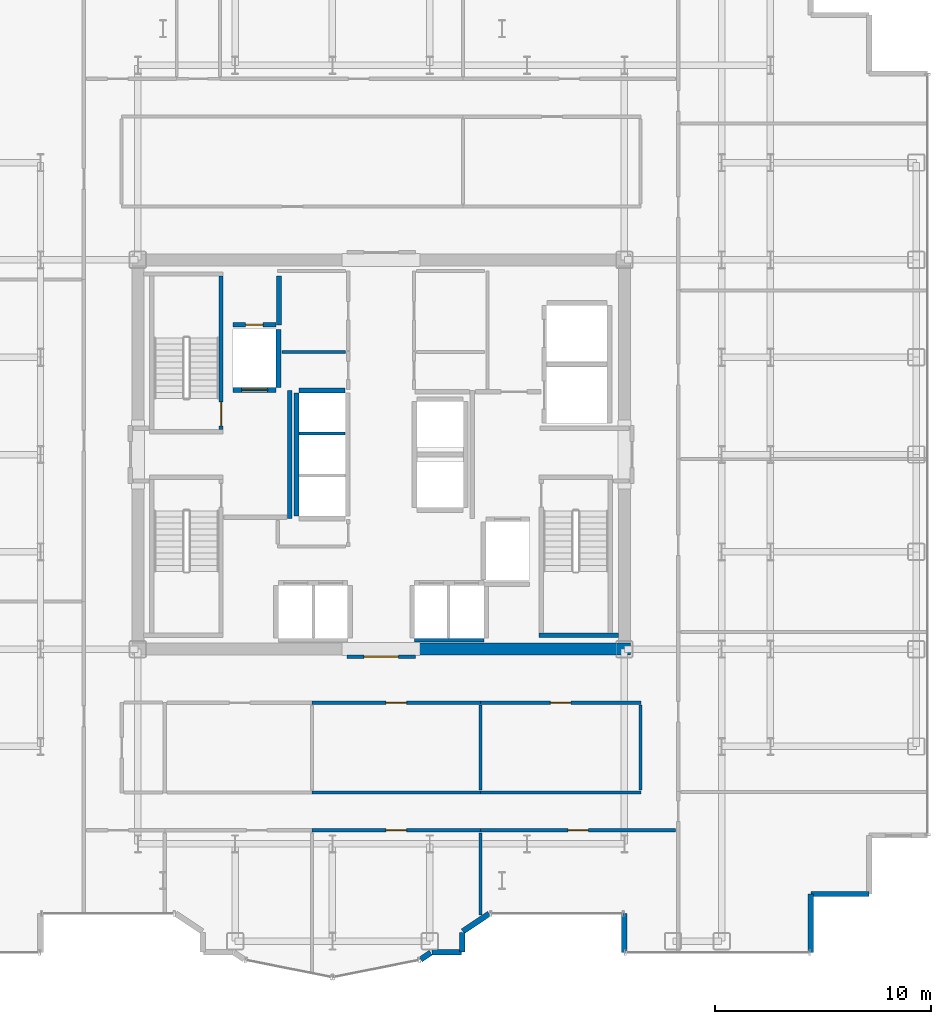
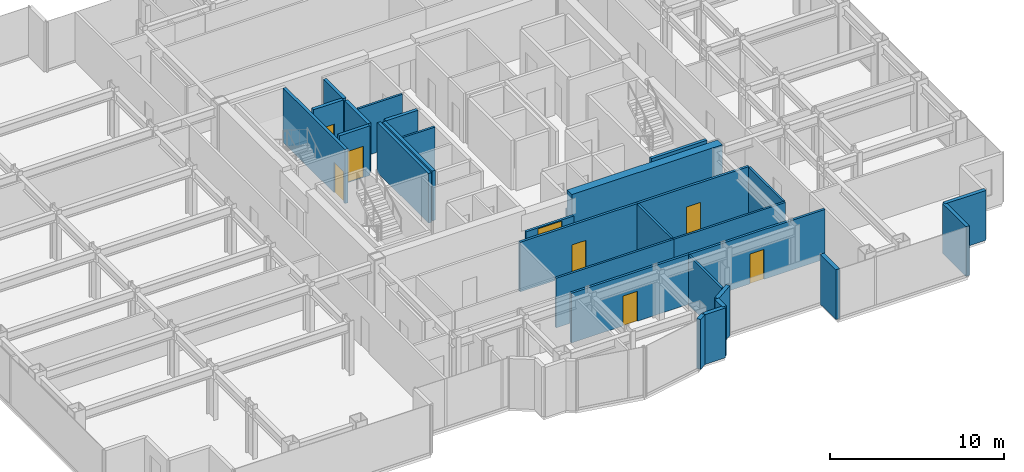
# One storey, part 18 of 23: 30 walls, 8 doors, 8 openings.
"""IFC4 building model written with IfcOpenShell, lengths in metres."""

from ifc_helpers import new_model, si_unit, direction, frame, frame_2d, origin, place, context, subcontext, project, spatial, rectangle, extrude, source, transform, mapped, material, layer, layer_set, type_object, element, fill, save


model = new_model("IFC4")

# Units and contexts
model_context = context("Model", 3, precision=1e-05, world=origin(), true_north=direction((0.0, 1.0)))
body_context = subcontext(model_context, "Body", "Model", "MODEL_VIEW")
ifc_project = project(units=[si_unit("LENGTHUNIT", "METRE"), si_unit("AREAUNIT", "SQUARE_METRE"), si_unit("VOLUMEUNIT", "CUBIC_METRE"), si_unit("PLANEANGLEUNIT", "RADIAN"), si_unit("MASSUNIT", "GRAM", prefix="KILO")], contexts=[model_context])

# Site, building, storey
site_placement = place(None, origin())
site = spatial("IfcSite", under=ifc_project, at=site_placement, CompositionType="ELEMENT")
building_placement = place(site_placement, origin())
building = spatial("IfcBuilding", under=site, at=building_placement, Name="Nefas-Gora Pilgrimage Tower", CompositionType="ELEMENT")
storey_placement = place(building_placement, frame((0.0, 0.0, 198.199951171875)))
storey = spatial("IfcBuildingStorey", under=building, at=storey_placement, Name="L49", CompositionType="ELEMENT", Elevation=198.199951171875)

# Walls
ifc_material_1 = material(Name="Concrete C60/75", Category="concrete")
ifc_layer_1 = layer(ifc_material_1, 0.550048828125)
ifc_layer_set_1 = layer_set([ifc_layer_1], Name="Concrete C60/75")
wall_type_1 = type_object("IfcWallType", Name="SW-CORE-550", PredefinedType="SHEAR", material=ifc_layer_set_1)
shared_shape_1 = source(origin(), body_context, "Body", "SweptSolid", [
    extrude(rectangle(XDim=9.974853515625, YDim=0.550048828125, at=frame_2d((4.9873046875, 0.0))), origin(), (0.0, 0.0, 1.0), 3.800048828125),
])
wall_1_placement = place(storey_placement, frame((1.550048828125, -9.0, 0.0), z_axis=(0.0, 0.0, 1.0), x_axis=(1.0, 0.0, 0.0)))
element("IfcWall", 1, at=wall_1_placement, inside=storey, type_object=wall_type_1, Name="L49 Core Shear Wall S-East", PredefinedType="SHEAR", context=body_context, shape_type="MappedRepresentation", body=[
    mapped(shared_shape_1, transform((0.0, 0.0, 0.0), x_axis=(1.0, 0.0, 0.0), y_axis=(0.0, 1.0, 0.0), z_axis=(0.0, 0.0, 1.0), scale=1.0)),
])
ifc_material_2 = material(Name="Precast concrete C40/50", Category="concrete")
ifc_layer_2 = layer(ifc_material_2, 0.260009765625)
ifc_layer_set_2 = layer_set([ifc_layer_2], Name="Precast concrete C40/50")
wall_type_2 = type_object("IfcWallType", Name="EW-PORTAL-260", PredefinedType="SOLIDWALL", material=ifc_layer_set_2)
shared_shape_2 = source(origin(), body_context, "Body", "SweptSolid", [
    extrude(rectangle(XDim=1.800048828125, YDim=0.260009765625, at=frame_2d((0.89990234375, 0.0))), origin(), (0.0, 0.0, 1.0), 3.5),
])
wall_2_placement = place(storey_placement, frame((11.25, -21.219970703125, 0.0), z_axis=(0.0, 0.0, 1.0), x_axis=(0.0, -1.0, 0.0)))
element("IfcWall", 2, at=wall_2_placement, inside=storey, type_object=wall_type_2, Name="L49 Lobe Shoulder Precast Spandrel Pier 1", PredefinedType="SOLIDWALL", context=body_context, shape_type="MappedRepresentation", body=[
    mapped(shared_shape_2, transform((0.0, 0.0, 0.0), x_axis=(1.0, 0.0, 0.0), y_axis=(0.0, 1.0, 0.0), z_axis=(0.0, 0.0, 1.0), scale=1.0)),
])
ifc_material_3 = material(Name="Precast concrete C45/55", Category="concrete")
ifc_layer_3 = layer(ifc_material_3, 0.239990234375)
ifc_layer_set_3 = layer_set([ifc_layer_3], Name="Precast concrete C45/55")
wall_type_3 = type_object("IfcWallType", Name="EW-SERR-240", PredefinedType="SHEAR", material=ifc_layer_set_3)
shared_shape_3 = source(origin(), body_context, "Body", "SweptSolid", [
    extrude(rectangle(XDim=2.699951171875, YDim=0.239990234375, at=frame_2d((1.35009765625, 0.0))), origin(), (0.0, 0.0, 1.0), 3.5),
])
for number, where, z_axis, x_axis, name in (
    (3, (19.8701171875, -23.02001953125, 0.0), (0.0, 0.0, 1.0), (0.0, 1.0, 0.0), "L49 Serrated Corner Shear Pier Wall 2"),
    (4, (19.8701171875, -20.320068359375, 0.0), (0.0, 0.0, 1.0), (1.0, 0.0, 0.0), "L49 Serrated Corner Shear Pier Wall 3"),
):
    element("IfcWall", number, at=place(storey_placement, frame(where, z_axis=z_axis, x_axis=x_axis)), inside=storey, type_object=wall_type_3, Name=name, PredefinedType="SHEAR", context=body_context, shape_type="MappedRepresentation", body=[
        mapped(shared_shape_3, transform((0.0, 0.0, 0.0), x_axis=(1.0, 0.0, 0.0), y_axis=(0.0, 1.0, 0.0), z_axis=(0.0, 0.0, 1.0), scale=1.0)),
    ])
shared_shape_4 = source(origin(), body_context, "Body", "SweptSolid", [
    extrude(rectangle(XDim=1.468994140625, YDim=0.260009765625, at=frame_2d((0.734375, 0.0))), origin(), (0.0, 0.0, 1.0), 3.5),
])
wall_3_placement = place(storey_placement, frame((3.773193359375, -22.0517578125, 0.0), z_axis=(0.0, 0.0, 1.0), x_axis=(0.831461760506, 0.555581983884, 0.0)))
element("IfcWall", 5, at=wall_3_placement, inside=storey, type_object=wall_type_2, Name="L49 Lobe Shoulder Precast Spandrel Pier 36", PredefinedType="SOLIDWALL", context=body_context, shape_type="MappedRepresentation", body=[
    mapped(shared_shape_4, transform((0.0, 0.0, 0.0), x_axis=(1.0, 0.0, 0.0), y_axis=(0.0, 1.0, 0.0), z_axis=(0.0, 0.0, 1.0), scale=1.0)),
])
shared_shape_5 = source(origin(), body_context, "Body", "SweptSolid", [
    extrude(rectangle(XDim=0.896728515625, YDim=0.260009765625, at=frame_2d((0.4482421875, 0.0))), origin(), (0.0, 0.0, 1.0), 3.5),
])
wall_4_placement = place(storey_placement, frame((3.75, -22.991943359375, 0.0), z_axis=(0.0, 0.0, 1.0), x_axis=(0.0, 1.0, 0.0)))
element("IfcWall", 6, at=wall_4_placement, inside=storey, type_object=wall_type_2, Name="L49 Lobe Shoulder Precast Spandrel Pier 35", PredefinedType="SOLIDWALL", context=body_context, shape_type="MappedRepresentation", body=[
    mapped(shared_shape_5, transform((0.0, 0.0, 0.0), x_axis=(1.0, 0.0, 0.0), y_axis=(0.0, 1.0, 0.0), z_axis=(0.0, 0.0, 1.0), scale=1.0)),
])
shared_shape_6 = source(origin(), body_context, "Body", "SweptSolid", [
    extrude(rectangle(XDim=1.369873046875, YDim=0.260009765625, at=frame_2d((0.68505859375, 0.0))), origin(), (0.0, 0.0, 1.0), 3.5),
])
wall_5_placement = place(storey_placement, frame((2.35205078125, -23.02001953125, 0.0), z_axis=(0.0, 0.0, 1.0), x_axis=(1.0, 0.0, 0.0)))
element("IfcWall", 7, at=wall_5_placement, inside=storey, type_object=wall_type_2, Name="L49 Lobe Shoulder Precast Spandrel Pier 34", PredefinedType="SOLIDWALL", context=body_context, shape_type="MappedRepresentation", body=[
    mapped(shared_shape_6, transform((0.0, 0.0, 0.0), x_axis=(1.0, 0.0, 0.0), y_axis=(0.0, 1.0, 0.0), z_axis=(0.0, 0.0, 1.0), scale=1.0)),
])
shared_shape_7 = source(origin(), body_context, "Body", "SweptSolid", [
    extrude(rectangle(XDim=0.5654296875, YDim=0.260009765625, at=frame_2d((0.28271484375, 0.0))), origin(), (0.0, 0.0, 1.0), 3.5),
])
wall_6_placement = place(storey_placement, frame((1.83056640625, -23.349609375, 0.0), z_axis=(0.0, 0.0, 1.0), x_axis=(0.831651492666, 0.555297933317, 0.0)))
element("IfcWall", 8, at=wall_6_placement, inside=storey, type_object=wall_type_2, Name="L49 Lobe Shoulder Precast Spandrel Pier 33", PredefinedType="SOLIDWALL", context=body_context, shape_type="MappedRepresentation", body=[
    mapped(shared_shape_7, transform((0.0, 0.0, 0.0), x_axis=(1.0, 0.0, 0.0), y_axis=(0.0, 1.0, 0.0), z_axis=(0.0, 0.0, 1.0), scale=1.0)),
])

# Wall, opening, door
ifc_material_4 = material(Name="Concrete C45/55", Category="concrete")
ifc_layer_4 = layer(ifc_material_4, 0.199951171875)
ifc_layer_set_4 = layer_set([ifc_layer_4], Name="Concrete C45/55")
wall_type_4 = type_object("IfcWallType", Name="IW-STAIR-200", PredefinedType="SOLIDWALL", material=ifc_layer_set_4)
shared_shape_8 = source(origin(), body_context, "Body", "SweptSolid", [
    extrude(rectangle(XDim=7.10009765625, YDim=0.199951171875, at=frame_2d((3.550048828125, 0.0))), origin(), (0.0, 0.0, 1.0), 3.800048828125),
])
wall_7_placement = place(storey_placement, frame((-7.39990234375, 1.14990234375, 0.0), z_axis=(0.0, 0.0, 1.0), x_axis=(0.0, 1.0, 0.0)))
wall_7 = element("IfcWall", 9, at=wall_7_placement, inside=storey, type_object=wall_type_4, Name="L49 Stairwell Shear Wall ST-01-left", PredefinedType="SOLIDWALL", context=body_context, shape_type="MappedRepresentation", body=[
    mapped(shared_shape_8, transform((0.0, 0.0, 0.0), x_axis=(1.0, 0.0, 0.0), y_axis=(0.0, 1.0, 0.0), z_axis=(0.0, 0.0, 1.0), scale=1.0)),
])
opening_1_placement = place(wall_7_placement, frame((0.179931640625, 0.0, 0.0)))
opening_1 = element("IfcOpeningElement", 10, at=opening_1_placement, cuts=wall_7, Name="Opening ID-ST1", PredefinedType="OPENING", context=body_context, shape_type="SweptSolid", body=[
    extrude(rectangle(XDim=1.10009765625, YDim=2.14990234375, at=frame_2d((0.550048828125, 1.074951171875))), frame((0.0, 0.10986328125, 0.0), z_axis=(0.0, -1.0, 0.0), x_axis=(1.0, 0.0, 0.0)), (0.0, 0.0, 1.0), 0.219970703125),
])
ifc_material_5 = material(Name="Painted galvanised steel fire stair door", Category="steel")
door_type_1 = type_object("IfcDoorType", Name="DR-INT-STAIR-1100", OperationType="NOTDEFINED", PredefinedType="DOOR", material=ifc_material_5)
shared_shape_9 = source(origin(), body_context, "Body", "SweptSolid", [
    extrude(rectangle(XDim=1.10009765625, YDim=2.14990234375, at=frame_2d((0.550048828125, 1.074951171875))), frame((0.0, 0.02490234375, 0.0), z_axis=(0.0, -1.0, 0.0), x_axis=(1.0, 0.0, 0.0)), (0.0, 0.0, 1.0), 0.050048828125),
])
door_1_placement = place(opening_1_placement, origin())
door_1 = element("IfcDoor", 11, at=door_1_placement, inside=storey, type_object=door_type_1, Name="L49 Protected Exit Stair Door ST-01", OperationType="SINGLE_SWING_LEFT", OverallHeight=2.14990234375, OverallWidth=1.10009765625, PredefinedType="DOOR", context=body_context, shape_type="MappedRepresentation", body=[
    mapped(shared_shape_9, transform((0.0, 0.0, 0.0), x_axis=(1.0, 0.0, 0.0), y_axis=(0.0, 1.0, 0.0), z_axis=(0.0, 0.0, 1.0), scale=1.0)),
])
fill(opening_1, door_1)

# Wall
shared_shape_10 = source(origin(), body_context, "Body", "SweptSolid", [
    extrude(rectangle(XDim=3.679931640625, YDim=0.199951171875, at=frame_2d((1.83984375, 0.0))), origin(), (0.0, 0.0, 1.0), 3.800048828125),
])
wall_8_placement = place(storey_placement, frame((7.300048828125, -8.35009765625, 0.0), z_axis=(0.0, 0.0, 1.0), x_axis=(1.0, 0.0, 0.0)))
element("IfcWall", 12, at=wall_8_placement, inside=storey, type_object=wall_type_4, Name="L49 Stairwell Shear Wall ST-02-far", PredefinedType="SOLIDWALL", context=body_context, shape_type="MappedRepresentation", body=[
    mapped(shared_shape_10, transform((0.0, 0.0, 0.0), x_axis=(1.0, 0.0, 0.0), y_axis=(0.0, 1.0, 0.0), z_axis=(0.0, 0.0, 1.0), scale=1.0)),
])

# Wall, opening, door
ifc_material_6 = material(Name="Concrete C40/50", Category="concrete")
ifc_layer_5 = layer(ifc_material_6, 0.219970703125)
ifc_layer_set_5 = layer_set([ifc_layer_5], Name="Concrete C40/50")
wall_type_5 = type_object("IfcWallType", Name="IW-SHAFT-220", PredefinedType="SOLIDWALL", material=ifc_layer_set_5)
shared_shape_11 = source(origin(), body_context, "Body", "SweptSolid", [
    extrude(rectangle(XDim=2.0, YDim=0.219970703125, at=frame_2d((1.0, 0.0))), origin(), (0.0, 0.0, 1.0), 3.485107421875),
])
wall_9_placement = place(storey_placement, frame((-6.85009765625, 2.989990234375, 0.0), z_axis=(0.0, 0.0, 1.0), x_axis=(1.0, 0.0, 0.0)))
wall_9 = element("IfcWall", 13, at=wall_9_placement, inside=storey, type_object=wall_type_5, Name="L49 Hoistway Wall FFL-01-S", PredefinedType="SOLIDWALL", context=body_context, shape_type="MappedRepresentation", body=[
    mapped(shared_shape_11, transform((0.0, 0.0, 0.0), x_axis=(1.0, 0.0, 0.0), y_axis=(0.0, 1.0, 0.0), z_axis=(0.0, 0.0, 1.0), scale=1.0)),
])
opening_2_placement = place(wall_9_placement, frame((0.39990234375, 0.0, 0.0)))
opening_2 = element("IfcOpeningElement", 14, at=opening_2_placement, cuts=wall_9, Name="Opening LD-FF", PredefinedType="OPENING", context=body_context, shape_type="SweptSolid", body=[
    extrude(rectangle(XDim=1.199951171875, YDim=2.199951171875, at=frame_2d((0.60009765625, 1.10009765625))), frame((0.0, 0.119873046875, 0.0), z_axis=(0.0, -1.0, 0.0), x_axis=(1.0, 0.0, 0.0)), (0.0, 0.0, 1.0), 0.239990234375),
])
ifc_material_7 = material(Name="Fire-service sliding lift landing door")
door_type_2 = type_object("IfcDoorType", Name="DR-LIFT-FSAE-1200", OperationType="SLIDING_TO_LEFT", PredefinedType="DOOR", material=ifc_material_7)
shared_shape_12 = source(origin(), body_context, "Body", "SweptSolid", [
    extrude(rectangle(XDim=1.199951171875, YDim=2.199951171875, at=frame_2d((0.60009765625, 1.10009765625))), frame((0.0, 0.02490234375, 0.0), z_axis=(0.0, -1.0, 0.0), x_axis=(1.0, 0.0, 0.0)), (0.0, 0.0, 1.0), 0.050048828125),
])
door_2_placement = place(opening_2_placement, origin())
door_2 = element("IfcDoor", 15, at=door_2_placement, inside=storey, type_object=door_type_2, Name="L49 Sliding Lift Landing Door FFL-01", OperationType="SLIDING_TO_LEFT", OverallHeight=2.199951171875, OverallWidth=1.199951171875, PredefinedType="DOOR", context=body_context, shape_type="MappedRepresentation", body=[
    mapped(shared_shape_12, transform((0.0, 0.0, 0.0), x_axis=(1.0, 0.0, 0.0), y_axis=(0.0, 1.0, 0.0), z_axis=(0.0, 0.0, 1.0), scale=1.0)),
])
fill(opening_2, door_2)

# Walls
shared_shape_13 = source(origin(), body_context, "Body", "SweptSolid", [
    extrude(rectangle(XDim=2.679931640625, YDim=0.219970703125, at=frame_2d((1.33984375, 0.0))), origin(), (0.0, 0.0, 1.0), 3.485107421875),
])
wall_10_placement = place(storey_placement, frame((-4.739990234375, 3.110107421875, 0.0), z_axis=(0.0, 0.0, 1.0), x_axis=(0.0, 1.0, 0.0)))
element("IfcWall", 16, at=wall_10_placement, inside=storey, type_object=wall_type_5, Name="L49 Hoistway Wall FFL-01-E", PredefinedType="SOLIDWALL", context=body_context, shape_type="MappedRepresentation", body=[
    mapped(shared_shape_13, transform((0.0, 0.0, 0.0), x_axis=(1.0, 0.0, 0.0), y_axis=(0.0, 1.0, 0.0), z_axis=(0.0, 0.0, 1.0), scale=1.0)),
])
ifc_material_8 = material(Name="Gypsum acoustic stud partition")
ifc_layer_6 = layer(ifc_material_8, 0.159912109375)
ifc_layer_set_6 = layer_set([ifc_layer_6], Name="Gypsum acoustic stud partition")
wall_type_6 = type_object("IfcWallType", Name="IW-CORR-160", PredefinedType="PARTITIONING", material=ifc_layer_set_6)
shared_shape_14 = source(origin(), body_context, "Body", "SweptSolid", [
    extrude(rectangle(XDim=3.199951171875, YDim=0.159912109375, at=frame_2d((1.60009765625, 0.0))), origin(), (0.0, 0.0, 1.0), 2.375),
])
wall_11_placement = place(storey_placement, frame((1.550048828125, -8.580078125, 0.0), z_axis=(0.0, 0.0, 1.0), x_axis=(1.0, 0.0, 0.0)))
element("IfcWall", 17, at=wall_11_placement, inside=storey, type_object=wall_type_6, Name="L49 Hoistway Wall PL2-E-S", PredefinedType="PARTITIONING", context=body_context, shape_type="MappedRepresentation", body=[
    mapped(shared_shape_14, transform((0.0, 0.0, 0.0), x_axis=(1.0, 0.0, 0.0), y_axis=(0.0, 1.0, 0.0), z_axis=(0.0, 0.0, 1.0), scale=1.0)),
])
shared_shape_15 = source(origin(), body_context, "Body", "SweptSolid", [
    extrude(rectangle(XDim=5.7001953125, YDim=0.219970703125, at=frame_2d((2.85009765625, 0.0))), origin(), (0.0, 0.0, 1.0), 3.485107421875),
])
wall_12_placement = place(storey_placement, frame((-3.909912109375, 2.85009765625, 0.0), z_axis=(0.0, 0.0, 1.0), x_axis=(0.0, -1.0, 0.0)))
element("IfcWall", 18, at=wall_12_placement, inside=storey, type_object=wall_type_5, Name="L49 Hoistway Wall PL3-01-03-W", PredefinedType="SOLIDWALL", context=body_context, shape_type="MappedRepresentation", body=[
    mapped(shared_shape_15, transform((0.0, 0.0, 0.0), x_axis=(1.0, 0.0, 0.0), y_axis=(0.0, 1.0, 0.0), z_axis=(0.0, 0.0, 1.0), scale=1.0)),
])
shared_shape_16 = source(origin(), body_context, "Body", "SweptSolid", [
    extrude(rectangle(XDim=2.130126953125, YDim=0.219970703125, at=frame_2d((1.06494140625, 0.0))), origin(), (0.0, 0.0, 1.0), 3.485107421875),
])
wall_13_placement = place(storey_placement, frame((-1.659912109375, 2.9599609375, 0.0), z_axis=(0.0, 0.0, 1.0), x_axis=(-1.0, 0.0, 0.0)))
element("IfcWall", 19, at=wall_13_placement, inside=storey, type_object=wall_type_5, Name="L49 Hoistway Wall PL3-03-N", PredefinedType="SOLIDWALL", context=body_context, shape_type="MappedRepresentation", body=[
    mapped(shared_shape_16, transform((0.0, 0.0, 0.0), x_axis=(1.0, 0.0, 0.0), y_axis=(0.0, 1.0, 0.0), z_axis=(0.0, 0.0, 1.0), scale=1.0)),
])
ifc_material_9 = material(Name="Gypsum twin-stud partition")
ifc_layer_7 = layer(ifc_material_9, 0.139892578125)
ifc_layer_set_7 = layer_set([ifc_layer_7], Name="Gypsum twin-stud partition")
wall_type_7 = type_object("IfcWallType", Name="IW-UNIT-140", PredefinedType="PARTITIONING", material=ifc_layer_set_7)
shared_shape_17 = source(origin(), body_context, "Body", "SweptSolid", [
    extrude(rectangle(XDim=2.130126953125, YDim=0.139892578125, at=frame_2d((1.06494140625, 0.0))), origin(), (0.0, 0.0, 1.0), 3.485107421875),
])
wall_14_placement = place(storey_placement, frame((-3.7900390625, 0.97509765625, 0.0), z_axis=(0.0, 0.0, 1.0), x_axis=(1.0, 0.0, 0.0)))
element("IfcWall", 20, at=wall_14_placement, inside=storey, type_object=wall_type_7, Name="L49 Hoistway Wall PL3-02-03-DIV", PredefinedType="PARTITIONING", context=body_context, shape_type="MappedRepresentation", body=[
    mapped(shared_shape_17, transform((0.0, 0.0, 0.0), x_axis=(1.0, 0.0, 0.0), y_axis=(0.0, 1.0, 0.0), z_axis=(0.0, 0.0, 1.0), scale=1.0)),
])
ifc_material_10 = material(Name="Gypsum fire-rated shaftwall")
ifc_layer_8 = layer(ifc_material_10, 0.199951171875)
ifc_layer_set_8 = layer_set([ifc_layer_8], Name="Gypsum fire-rated shaftwall")
wall_type_8 = type_object("IfcWallType", Name="IW-FFLOB-200", PredefinedType="PARTITIONING", material=ifc_layer_set_8)
shared_shape_18 = source(origin(), body_context, "Body", "SweptSolid", [
    extrude(rectangle(XDim=5.89990234375, YDim=0.199951171875, at=frame_2d((2.949951171875, 0.0))), origin(), (0.0, 0.0, 1.0), 3.485107421875),
])
wall_15_placement = place(storey_placement, frame((-4.219970703125, -2.949951171875, 0.0), z_axis=(0.0, 0.0, 1.0), x_axis=(0.0, 1.0, 0.0)))
element("IfcWall", 21, at=wall_15_placement, inside=storey, type_object=wall_type_8, Name="L49 FF Lobby West Inner Wall Wall 5", PredefinedType="PARTITIONING", context=body_context, shape_type="MappedRepresentation", body=[
    mapped(shared_shape_18, transform((0.0, 0.0, 0.0), x_axis=(1.0, 0.0, 0.0), y_axis=(0.0, 1.0, 0.0), z_axis=(0.0, 0.0, 1.0), scale=1.0)),
])
shared_shape_19 = source(origin(), body_context, "Body", "SweptSolid", [
    extrude(rectangle(XDim=2.9501953125, YDim=0.139892578125, at=frame_2d((1.47509765625, 0.0))), origin(), (0.0, 0.0, 1.0), 3.485107421875),
])
wall_16_placement = place(storey_placement, frame((-4.590087890625, 4.75, 0.0), z_axis=(0.0, 0.0, 1.0), x_axis=(1.0, 0.0, 0.0)))
element("IfcWall", 22, at=wall_16_placement, inside=storey, type_object=wall_type_7, Name="L49 Housekeeping and Linen Store Partition Wall 19", PredefinedType="PARTITIONING", context=body_context, shape_type="MappedRepresentation", body=[
    mapped(shared_shape_19, transform((0.0, 0.0, 0.0), x_axis=(1.0, 0.0, 0.0), y_axis=(0.0, 1.0, 0.0), z_axis=(0.0, 0.0, 1.0), scale=1.0)),
])

# Wall, opening, door
shared_shape_20 = source(origin(), body_context, "Body", "SweptSolid", [
    extrude(rectangle(XDim=3.16015625, YDim=0.159912109375, at=frame_2d((1.580078125, 0.0))), origin(), (0.0, 0.0, 1.0), 2.375),
])
wall_17_placement = place(storey_placement, frame((-1.580078125, -9.35009765625, 0.0), z_axis=(0.0, 0.0, 1.0), x_axis=(1.0, 0.0, 0.0)))
wall_17 = element("IfcWall", 23, at=wall_17_placement, inside=storey, type_object=wall_type_6, Name="L49 Central Lift Lobby South Portal Wall 16", PredefinedType="PARTITIONING", context=body_context, shape_type="MappedRepresentation", body=[
    mapped(shared_shape_20, transform((0.0, 0.0, 0.0), x_axis=(1.0, 0.0, 0.0), y_axis=(0.0, 1.0, 0.0), z_axis=(0.0, 0.0, 1.0), scale=1.0)),
])
opening_3_placement = place(wall_17_placement, frame((0.780029296875, 0.0, 0.0)))
opening_3 = element("IfcOpeningElement", 24, at=opening_3_placement, cuts=wall_17, Name="Opening ID-HL1", PredefinedType="OPENING", context=body_context, shape_type="SweptSolid", body=[
    extrude(rectangle(XDim=1.60009765625, YDim=2.300048828125, at=frame_2d((0.800048828125, 1.14990234375))), frame((0.0, 0.08984375, 0.0), z_axis=(0.0, -1.0, 0.0), x_axis=(1.0, 0.0, 0.0)), (0.0, 0.0, 1.0), 0.179931640625),
])
ifc_material_11 = material(Name="Double acoustic timber assembly hall door", Category="wood")
door_type_3 = type_object("IfcDoorType", Name="DR-INT-HALL-1600", OperationType="DOUBLE_DOOR_SINGLE_SWING", PredefinedType="DOOR", material=ifc_material_11)
shared_shape_21 = source(origin(), body_context, "Body", "SweptSolid", [
    extrude(rectangle(XDim=1.60009765625, YDim=2.300048828125, at=frame_2d((0.800048828125, 1.14990234375))), frame((0.0, 0.02490234375, 0.0), z_axis=(0.0, -1.0, 0.0), x_axis=(1.0, 0.0, 0.0)), (0.0, 0.0, 1.0), 0.050048828125),
])
door_3_placement = place(opening_3_placement, origin())
door_3 = element("IfcDoor", 25, at=door_3_placement, inside=storey, type_object=door_type_3, Name="L49 Central Lift Lobby South Portal Door 6", OperationType="DOUBLE_DOOR_SINGLE_SWING", OverallHeight=2.300048828125, OverallWidth=1.60009765625, PredefinedType="DOOR", context=body_context, shape_type="MappedRepresentation", body=[
    mapped(shared_shape_21, transform((0.0, 0.0, 0.0), x_axis=(1.0, 0.0, 0.0), y_axis=(0.0, 1.0, 0.0), z_axis=(0.0, 0.0, 1.0), scale=1.0)),
])
fill(opening_3, door_3)

# Wall
shared_shape_22 = source(origin(), body_context, "Body", "SweptSolid", [
    extrude(rectangle(XDim=2.25, YDim=0.219970703125, at=frame_2d((1.125, 0.0))), origin(), (0.0, 0.0, 1.0), 3.485107421875),
])
wall_18_placement = place(storey_placement, frame((-4.719970703125, 6.0, 0.0), z_axis=(0.0, 0.0, 1.0), x_axis=(0.0, 1.0, 0.0)))
element("IfcWall", 26, at=wall_18_placement, inside=storey, type_object=wall_type_5, Name="L49 Riser Shaft Wall 1", PredefinedType="SOLIDWALL", context=body_context, shape_type="MappedRepresentation", body=[
    mapped(shared_shape_22, transform((0.0, 0.0, 0.0), x_axis=(1.0, 0.0, 0.0), y_axis=(0.0, 1.0, 0.0), z_axis=(0.0, 0.0, 1.0), scale=1.0)),
])

# Wall, opening, door
shared_shape_23 = source(origin(), body_context, "Body", "SweptSolid", [
    extrude(rectangle(XDim=1.97998046875, YDim=0.219970703125, at=frame_2d((0.989990234375, 0.0))), origin(), (0.0, 0.0, 1.0), 3.485107421875),
])
wall_19_placement = place(storey_placement, frame((-6.85009765625, 6.0, 0.0), z_axis=(0.0, 0.0, 1.0), x_axis=(1.0, 0.0, 0.0)))
wall_19 = element("IfcWall", 27, at=wall_19_placement, inside=storey, type_object=wall_type_5, Name="L49 Riser Shaft Wall 2", PredefinedType="SOLIDWALL", context=body_context, shape_type="MappedRepresentation", body=[
    mapped(shared_shape_23, transform((0.0, 0.0, 0.0), x_axis=(1.0, 0.0, 0.0), y_axis=(0.0, 1.0, 0.0), z_axis=(0.0, 0.0, 1.0), scale=1.0)),
])
opening_4_placement = place(wall_19_placement, frame((0.590087890625, 0.0, 0.0)))
opening_4 = element("IfcOpeningElement", 28, at=opening_4_placement, cuts=wall_19, Name="Opening ID-TR1", PredefinedType="OPENING", context=body_context, shape_type="SweptSolid", body=[
    extrude(rectangle(XDim=0.800048828125, YDim=2.0, at=frame_2d((0.39990234375, 1.0))), frame((0.0, 0.119873046875, 0.0), z_axis=(0.0, -1.0, 0.0), x_axis=(1.0, 0.0, 0.0)), (0.0, 0.0, 1.0), 0.239990234375),
])
ifc_material_12 = material(Name="Riser maintenance fire access door")
door_type_4 = type_object("IfcDoorType", Name="DR-INT-TRAP-800", OperationType="NOTDEFINED", PredefinedType="TRAPDOOR", material=ifc_material_12)
shared_shape_24 = source(origin(), body_context, "Body", "SweptSolid", [
    extrude(rectangle(XDim=0.800048828125, YDim=2.0, at=frame_2d((0.39990234375, 1.0))), frame((0.0, 0.02490234375, 0.0), z_axis=(0.0, -1.0, 0.0), x_axis=(1.0, 0.0, 0.0)), (0.0, 0.0, 1.0), 0.050048828125),
])
door_4_placement = place(opening_4_placement, origin())
door_4 = element("IfcDoor", 29, at=door_4_placement, inside=storey, type_object=door_type_4, Name="L49 Riser Shaft Door 1", OperationType="SINGLE_SWING_RIGHT", OverallHeight=2.0, OverallWidth=0.800048828125, PredefinedType="TRAPDOOR", context=body_context, shape_type="MappedRepresentation", body=[
    mapped(shared_shape_24, transform((0.0, 0.0, 0.0), x_axis=(1.0, 0.0, 0.0), y_axis=(0.0, 1.0, 0.0), z_axis=(0.0, 0.0, 1.0), scale=1.0)),
])
fill(opening_4, door_4)

shared_shape_25 = source(origin(), body_context, "Body", "SweptSolid", [
    extrude(rectangle(XDim=7.81005859375, YDim=0.159912109375, at=frame_2d((3.905029296875, 0.0))), origin(), (0.0, 0.0, 1.0), 3.485107421875),
])
wall_20_placement = place(storey_placement, frame((-3.205078125, -17.3701171875, 0.0), z_axis=(0.0, 0.0, 1.0), x_axis=(1.0, 0.0, 0.0)))
wall_20 = element("IfcWall", 30, at=wall_20_placement, inside=storey, type_object=wall_type_6, Name="L49 Pilgrim Contemplative Lounge Partition Wall 70", PredefinedType="PARTITIONING", context=body_context, shape_type="MappedRepresentation", body=[
    mapped(shared_shape_25, transform((0.0, 0.0, 0.0), x_axis=(1.0, 0.0, 0.0), y_axis=(0.0, 1.0, 0.0), z_axis=(0.0, 0.0, 1.0), scale=1.0)),
])
opening_5_placement = place(wall_20_placement, frame((3.429931640625, 0.0, 0.0)))
opening_5 = element("IfcOpeningElement", 31, at=opening_5_placement, cuts=wall_20, Name="Opening ID-GR1", PredefinedType="OPENING", context=body_context, shape_type="SweptSolid", body=[
    extrude(rectangle(XDim=0.949951171875, YDim=2.10009765625, at=frame_2d((0.47509765625, 1.050048828125))), frame((0.0, 0.08984375, 0.0), z_axis=(0.0, -1.0, 0.0), x_axis=(1.0, 0.0, 0.0)), (0.0, 0.0, 1.0), 0.179931640625),
])
ifc_material_13 = material(Name="Solid core oak fire-rated guest entrance door")
door_type_5 = type_object("IfcDoorType", Name="DR-INT-GUEST-950", OperationType="NOTDEFINED", PredefinedType="DOOR", material=ifc_material_13)
shared_shape_26 = source(origin(), body_context, "Body", "SweptSolid", [
    extrude(rectangle(XDim=0.949951171875, YDim=2.10009765625, at=frame_2d((0.47509765625, 1.050048828125))), frame((0.0, 0.02490234375, 0.0), z_axis=(0.0, -1.0, 0.0), x_axis=(1.0, 0.0, 0.0)), (0.0, 0.0, 1.0), 0.050048828125),
])
door_5_placement = place(opening_5_placement, origin())
door_5 = element("IfcDoor", 32, at=door_5_placement, inside=storey, type_object=door_type_5, Name="L49 Pilgrim Contemplative Lounge Door 31", OperationType="SINGLE_SWING_RIGHT", OverallHeight=2.10009765625, OverallWidth=0.949951171875, PredefinedType="DOOR", context=body_context, shape_type="MappedRepresentation", body=[
    mapped(shared_shape_26, transform((0.0, 0.0, 0.0), x_axis=(1.0, 0.0, 0.0), y_axis=(0.0, 1.0, 0.0), z_axis=(0.0, 0.0, 1.0), scale=1.0)),
])
fill(opening_5, door_5)

wall_21_placement = place(storey_placement, frame((-3.205078125, -11.469970703125, 0.0), z_axis=(0.0, 0.0, 1.0), x_axis=(1.0, 0.0, 0.0)))
wall_21 = element("IfcWall", 33, at=wall_21_placement, inside=storey, type_object=wall_type_6, Name="L49 Pilgrim Contemplative Lounge Partition Wall 72", PredefinedType="PARTITIONING", context=body_context, shape_type="MappedRepresentation", body=[
    mapped(shared_shape_25, transform((0.0, 0.0, 0.0), x_axis=(1.0, 0.0, 0.0), y_axis=(0.0, 1.0, 0.0), z_axis=(0.0, 0.0, 1.0), scale=1.0)),
])
opening_6_placement = place(wall_21_placement, frame((3.429931640625, 0.0, 0.0)))
opening_6 = element("IfcOpeningElement", 34, at=opening_6_placement, cuts=wall_21, Name="Opening ID-GR1", PredefinedType="OPENING", context=body_context, shape_type="SweptSolid", body=[
    extrude(rectangle(XDim=0.949951171875, YDim=2.10009765625, at=frame_2d((0.47509765625, 1.050048828125))), frame((0.0, 0.08984375, 0.0), z_axis=(0.0, -1.0, 0.0), x_axis=(1.0, 0.0, 0.0)), (0.0, 0.0, 1.0), 0.179931640625),
])
door_6_placement = place(opening_6_placement, origin())
door_6 = element("IfcDoor", 35, at=door_6_placement, inside=storey, type_object=door_type_5, Name="L49 Pilgrim Contemplative Lounge Door 32", OperationType="SINGLE_SWING_LEFT", OverallHeight=2.10009765625, OverallWidth=0.949951171875, PredefinedType="DOOR", context=body_context, shape_type="MappedRepresentation", body=[
    mapped(shared_shape_26, transform((0.0, 0.0, 0.0), x_axis=(1.0, 0.0, 0.0), y_axis=(0.0, 1.0, 0.0), z_axis=(0.0, 0.0, 1.0), scale=1.0)),
])
fill(opening_6, door_6)

# Walls
shared_shape_27 = source(origin(), body_context, "Body", "SweptSolid", [
    extrude(rectangle(XDim=3.929931640625, YDim=0.139892578125, at=frame_2d((1.96484375, 0.0))), origin(), (0.0, 0.0, 1.0), 3.485107421875),
])
for number, where, z_axis, x_axis, name in (
    (36, (4.594970703125, -15.52001953125, 0.0), (0.0, 0.0, 1.0), (0.0, 1.0, 0.0), "L49 Pilgrim Contemplative Lounge Partition Wall 74"),
    (37, (12.0, -15.52001953125, 0.0), (0.0, 0.0, 1.0), (0.0, 1.0, 0.0), "L49 Pilgrim Contemplative Lounge Partition Wall 78"),
):
    element("IfcWall", number, at=place(storey_placement, frame(where, z_axis=z_axis, x_axis=x_axis)), inside=storey, type_object=wall_type_7, Name=name, PredefinedType="PARTITIONING", context=body_context, shape_type="MappedRepresentation", body=[
        mapped(shared_shape_27, transform((0.0, 0.0, 0.0), x_axis=(1.0, 0.0, 0.0), y_axis=(0.0, 1.0, 0.0), z_axis=(0.0, 0.0, 1.0), scale=1.0)),
    ])
shared_shape_28 = source(origin(), body_context, "Body", "SweptSolid", [
    extrude(rectangle(XDim=3.810546875, YDim=0.139892578125, at=frame_2d((1.9052734375, 0.0))), origin(), (0.0, 0.0, 1.0), 3.485107421875),
])
wall_22_placement = place(storey_placement, frame((4.594970703125, -21.300537109375, 0.0), z_axis=(0.0, 0.0, 1.0), x_axis=(0.0, 1.0, 0.0)))
element("IfcWall", 38, at=wall_22_placement, inside=storey, type_object=wall_type_7, Name="L49 Pilgrim Contemplative Lounge Partition Wall 71", PredefinedType="PARTITIONING", context=body_context, shape_type="MappedRepresentation", body=[
    mapped(shared_shape_28, transform((0.0, 0.0, 0.0), x_axis=(1.0, 0.0, 0.0), y_axis=(0.0, 1.0, 0.0), z_axis=(0.0, 0.0, 1.0), scale=1.0)),
])
shared_shape_29 = source(origin(), body_context, "Body", "SweptSolid", [
    extrude(rectangle(XDim=7.81005859375, YDim=0.139892578125, at=frame_2d((3.905029296875, 0.0))), origin(), (0.0, 0.0, 1.0), 3.485107421875),
])
wall_23_placement = place(storey_placement, frame((-3.205078125, -15.6298828125, 0.0), z_axis=(0.0, 0.0, 1.0), x_axis=(1.0, 0.0, 0.0)))
element("IfcWall", 39, at=wall_23_placement, inside=storey, type_object=wall_type_7, Name="L49 Pilgrim Contemplative Lounge Partition Wall 73", PredefinedType="PARTITIONING", context=body_context, shape_type="MappedRepresentation", body=[
    mapped(shared_shape_29, transform((0.0, 0.0, 0.0), x_axis=(1.0, 0.0, 0.0), y_axis=(0.0, 1.0, 0.0), z_axis=(0.0, 0.0, 1.0), scale=1.0)),
])

# Wall, opening, door
shared_shape_30 = source(origin(), body_context, "Body", "SweptSolid", [
    extrude(rectangle(XDim=9.025146484375, YDim=0.159912109375, at=frame_2d((4.5126953125, 0.0))), origin(), (0.0, 0.0, 1.0), 3.485107421875),
])
wall_24_placement = place(storey_placement, frame((4.594970703125, -17.3701171875, 0.0), z_axis=(0.0, 0.0, 1.0), x_axis=(1.0, 0.0, 0.0)))
wall_24 = element("IfcWall", 40, at=wall_24_placement, inside=storey, type_object=wall_type_6, Name="L49 Pilgrim Contemplative Lounge Partition Wall 75", PredefinedType="PARTITIONING", context=body_context, shape_type="MappedRepresentation", body=[
    mapped(shared_shape_30, transform((0.0, 0.0, 0.0), x_axis=(1.0, 0.0, 0.0), y_axis=(0.0, 1.0, 0.0), z_axis=(0.0, 0.0, 1.0), scale=1.0)),
])
opening_7_placement = place(wall_24_placement, frame((4.03759765625, 0.0, 0.0)))
opening_7 = element("IfcOpeningElement", 41, at=opening_7_placement, cuts=wall_24, Name="Opening ID-GR1", PredefinedType="OPENING", context=body_context, shape_type="SweptSolid", body=[
    extrude(rectangle(XDim=0.949951171875, YDim=2.10009765625, at=frame_2d((0.47509765625, 1.050048828125))), frame((0.0, 0.08984375, 0.0), z_axis=(0.0, -1.0, 0.0), x_axis=(1.0, 0.0, 0.0)), (0.0, 0.0, 1.0), 0.179931640625),
])
door_7_placement = place(opening_7_placement, origin())
door_7 = element("IfcDoor", 42, at=door_7_placement, inside=storey, type_object=door_type_5, Name="L49 Pilgrim Contemplative Lounge Door 33", OperationType="SINGLE_SWING_RIGHT", OverallHeight=2.10009765625, OverallWidth=0.949951171875, PredefinedType="DOOR", context=body_context, shape_type="MappedRepresentation", body=[
    mapped(shared_shape_26, transform((0.0, 0.0, 0.0), x_axis=(1.0, 0.0, 0.0), y_axis=(0.0, 1.0, 0.0), z_axis=(0.0, 0.0, 1.0), scale=1.0)),
])
fill(opening_7, door_7)

shared_shape_31 = source(origin(), body_context, "Body", "SweptSolid", [
    extrude(rectangle(XDim=7.4150390625, YDim=0.159912109375, at=frame_2d((3.70751953125, 0.0))), origin(), (0.0, 0.0, 1.0), 3.485107421875),
])
wall_25_placement = place(storey_placement, frame((4.594970703125, -11.469970703125, 0.0), z_axis=(0.0, 0.0, 1.0), x_axis=(1.0, 0.0, 0.0)))
wall_25 = element("IfcWall", 43, at=wall_25_placement, inside=storey, type_object=wall_type_6, Name="L49 Pilgrim Contemplative Lounge Partition Wall 76", PredefinedType="PARTITIONING", context=body_context, shape_type="MappedRepresentation", body=[
    mapped(shared_shape_31, transform((0.0, 0.0, 0.0), x_axis=(1.0, 0.0, 0.0), y_axis=(0.0, 1.0, 0.0), z_axis=(0.0, 0.0, 1.0), scale=1.0)),
])
opening_8_placement = place(wall_25_placement, frame((3.232421875, 0.0, 0.0)))
opening_8 = element("IfcOpeningElement", 44, at=opening_8_placement, cuts=wall_25, Name="Opening ID-GR1", PredefinedType="OPENING", context=body_context, shape_type="SweptSolid", body=[
    extrude(rectangle(XDim=0.949951171875, YDim=2.10009765625, at=frame_2d((0.47509765625, 1.050048828125))), frame((0.0, 0.08984375, 0.0), z_axis=(0.0, -1.0, 0.0), x_axis=(1.0, 0.0, 0.0)), (0.0, 0.0, 1.0), 0.179931640625),
])
door_8_placement = place(opening_8_placement, origin())
door_8 = element("IfcDoor", 45, at=door_8_placement, inside=storey, type_object=door_type_5, Name="L49 Pilgrim Contemplative Lounge Door 34", OperationType="SINGLE_SWING_LEFT", OverallHeight=2.10009765625, OverallWidth=0.949951171875, PredefinedType="DOOR", context=body_context, shape_type="MappedRepresentation", body=[
    mapped(shared_shape_26, transform((0.0, 0.0, 0.0), x_axis=(1.0, 0.0, 0.0), y_axis=(0.0, 1.0, 0.0), z_axis=(0.0, 0.0, 1.0), scale=1.0)),
])
fill(opening_8, door_8)

# Wall
shared_shape_32 = source(origin(), body_context, "Body", "SweptSolid", [
    extrude(rectangle(XDim=7.4150390625, YDim=0.139892578125, at=frame_2d((3.70751953125, 0.0))), origin(), (0.0, 0.0, 1.0), 3.485107421875),
])
wall_26_placement = place(storey_placement, frame((4.594970703125, -15.6298828125, 0.0), z_axis=(0.0, 0.0, 1.0), x_axis=(1.0, 0.0, 0.0)))
element("IfcWall", 46, at=wall_26_placement, inside=storey, type_object=wall_type_7, Name="L49 Pilgrim Contemplative Lounge Partition Wall 77", PredefinedType="PARTITIONING", context=body_context, shape_type="MappedRepresentation", body=[
    mapped(shared_shape_32, transform((0.0, 0.0, 0.0), x_axis=(1.0, 0.0, 0.0), y_axis=(0.0, 1.0, 0.0), z_axis=(0.0, 0.0, 1.0), scale=1.0)),
])

save(model, "model.ifc")
